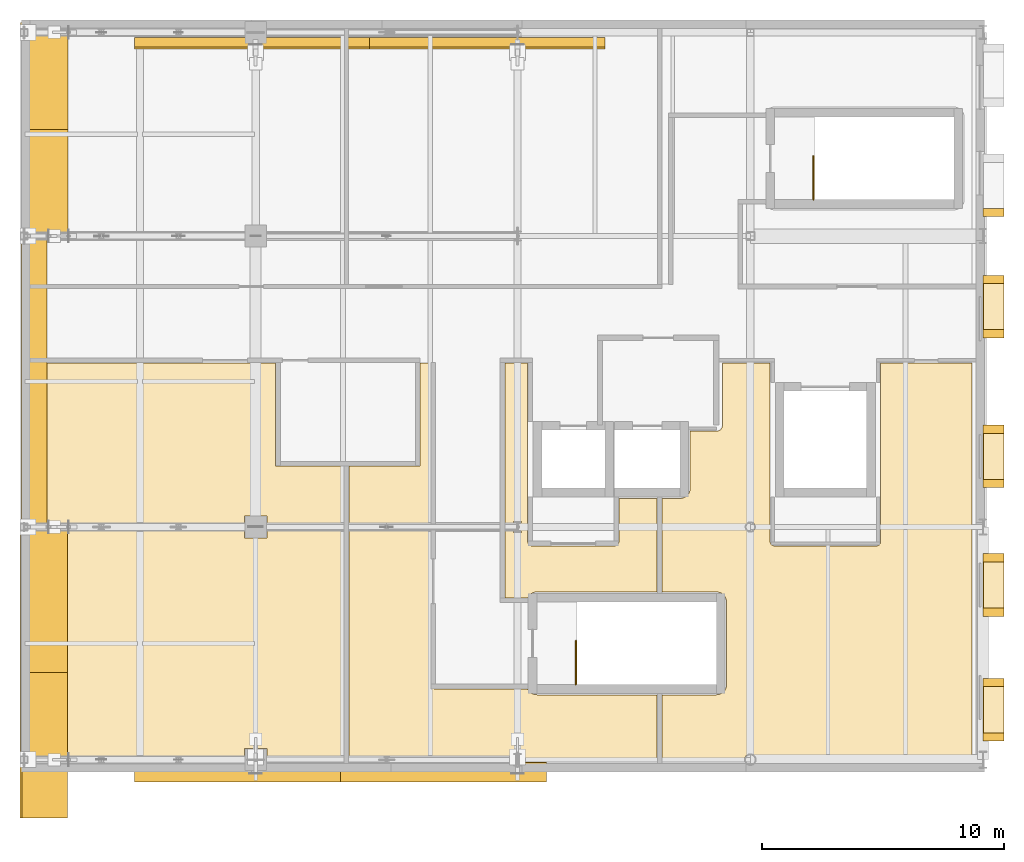
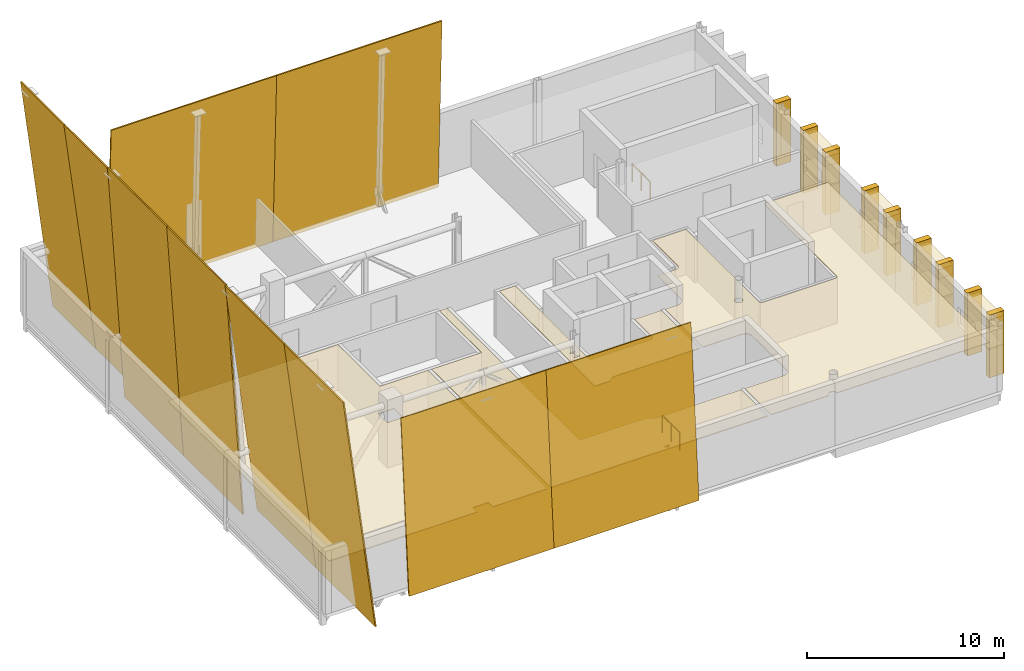
# One storey, part 9 of 10: 31 coverings, 4 railings.
"""IFC4 building model written with IfcOpenShell, lengths in metres."""

from ifc_helpers import new_model, si_unit, direction, frame, origin, origin_2d, place, context, subcontext, project, spatial, polyline, rectangle, circle, outline, extrude, material, layer, layer_set, type_object, element, save


model = new_model("IFC4")

# Units and contexts
model_context = context("Model", 3, precision=1e-05, world=origin(), true_north=direction((0.0, 1.0)))
body_context = subcontext(model_context, "Body", "Model", "MODEL_VIEW")
ifc_project = project(units=[si_unit("LENGTHUNIT", "METRE"), si_unit("AREAUNIT", "SQUARE_METRE"), si_unit("VOLUMEUNIT", "CUBIC_METRE"), si_unit("PLANEANGLEUNIT", "RADIAN"), si_unit("MASSUNIT", "GRAM", prefix="KILO")], contexts=[model_context])

# Site, building, storey
site_placement = place(None, origin())
site = spatial("IfcSite", under=ifc_project, at=site_placement, CompositionType="ELEMENT")
building_placement = place(site_placement, origin())
building = spatial("IfcBuilding", under=site, at=building_placement, Name="Zereglee Splitstone Museum", CompositionType="ELEMENT")
storey_placement = place(building_placement, frame((0.0, 0.0, 25.5)))
storey = spatial("IfcBuildingStorey", under=building, at=storey_placement, Name="L05", CompositionType="ELEMENT", Elevation=25.5)

# Coverings
ifc_material_1 = material(Name="Perforated acoustic gypsum board ceiling", Category="masonry")
ifc_layer_1 = layer(ifc_material_1, 0.044921875)
ifc_layer_set_1 = layer_set([ifc_layer_1], Name="Perforated acoustic gypsum board ceiling")
covering_type_1 = type_object("IfcCoveringType", Name="CLG-02", PredefinedType="CEILING", material=ifc_layer_set_1)
covering_1_placement = place(storey_placement, frame((0.0, 0.0, 2.794921875)))
element("IfcCovering", 1, at=covering_1_placement, inside=storey, type_object=covering_type_1, Name="Acoustic Ceiling L05-062", PredefinedType="CEILING", context=body_context, shape_type="SweptSolid", body=[
    extrude(outline(polyline([(26.35302734375, 2.679931640625), (28.60009765625, 2.679931640625), (28.64111328125, 2.681884765625), (28.681884765625, 2.68798828125), (28.721923828125, 2.697998046875), (28.7607421875, 2.7119140625), (28.798095703125, 2.7294921875), (28.833251953125, 2.750732421875), (28.866455078125, 2.775390625), (28.89697265625, 2.802978515625), (28.9248046875, 2.83349609375), (28.94921875, 2.86669921875), (28.970458984375, 2.902099609375), (28.988037109375, 2.939208984375), (29.001953125, 2.97802734375), (29.011962890625, 3.01806640625), (29.01806640625, 3.058837890625), (29.02001953125, 3.10009765625), (29.02001953125, 6.5), (29.01806640625, 6.541259765625), (29.011962890625, 6.581787109375), (29.001953125, 6.621826171875), (28.988037109375, 6.66064453125), (28.970458984375, 6.697998046875), (28.94921875, 6.7333984375), (28.9248046875, 6.766357421875), (28.89697265625, 6.797119140625), (28.866455078125, 6.82470703125), (28.833251953125, 6.84912109375), (28.798095703125, 6.870361328125), (28.7607421875, 6.887939453125), (28.721923828125, 6.90185546875), (28.681884765625, 6.911865234375), (28.64111328125, 6.91796875), (28.60009765625, 6.919921875), (26.35302734375, 6.919921875), (26.35302734375, 10.780029296875), (27.10009765625, 10.780029296875), (27.14111328125, 10.781982421875), (27.181884765625, 10.7880859375), (27.221923828125, 10.798095703125), (27.2607421875, 10.81201171875), (27.298095703125, 10.82958984375), (27.333251953125, 10.850830078125), (27.366455078125, 10.875244140625), (27.39697265625, 10.903076171875), (27.4248046875, 10.93359375), (27.44921875, 10.966796875), (27.470458984375, 11.001953125), (27.488037109375, 11.039306640625), (27.501953125, 11.078125), (27.511962890625, 11.1181640625), (27.51806640625, 11.15869140625), (27.52001953125, 11.199951171875), (27.52001953125, 13.550048828125), (28.60009765625, 13.550048828125), (28.62451171875, 13.55126953125), (28.648681640625, 13.5546875), (28.672607421875, 13.560791015625), (28.69580078125, 13.569091796875), (28.7177734375, 13.57958984375), (28.739013671875, 13.592041015625), (28.758544921875, 13.606689453125), (28.77685546875, 13.623291015625), (28.793212890625, 13.641357421875), (28.807861328125, 13.6611328125), (28.820556640625, 13.68212890625), (28.8310546875, 13.704345703125), (28.839111328125, 13.727294921875), (28.84521484375, 13.751220703125), (28.848876953125, 13.775390625), (28.85009765625, 13.800048828125), (28.85009765625, 16.3701171875), (30.820068359375, 16.3701171875), (30.820068359375, 9.0), (30.820068359375, 8.9990234375), (30.82080078125, 8.9833984375), (30.821044921875, 8.9814453125), (30.8232421875, 8.9658203125), (30.82373046875, 8.9638671875), (30.827392578125, 8.94873046875), (30.828125, 8.94677734375), (30.833251953125, 8.931884765625), (30.833984375, 8.93017578125), (30.8408203125, 8.916015625), (30.841796875, 8.914306640625), (30.849853515625, 8.90087890625), (30.850830078125, 8.899169921875), (30.8603515625, 8.88671875), (30.861572265625, 8.885009765625), (30.8720703125, 8.873291015625), (30.873291015625, 8.8720703125), (30.885009765625, 8.861572265625), (30.88671875, 8.8603515625), (30.899169921875, 8.850830078125), (30.90087890625, 8.849853515625), (30.914306640625, 8.841796875), (30.916015625, 8.8408203125), (30.93017578125, 8.833984375), (30.931884765625, 8.833251953125), (30.94677734375, 8.828125), (30.94873046875, 8.827392578125), (30.9638671875, 8.82373046875), (30.9658203125, 8.8232421875), (30.9814453125, 8.821044921875), (30.9833984375, 8.82080078125), (30.9990234375, 8.820068359375), (31.0, 8.820068359375), (35.199951171875, 8.820068359375), (35.200927734375, 8.820068359375), (35.216796875, 8.82080078125), (35.218505859375, 8.821044921875), (35.234130859375, 8.8232421875), (35.236083984375, 8.82373046875), (35.251220703125, 8.827392578125), (35.253173828125, 8.828125), (35.26806640625, 8.833251953125), (35.269775390625, 8.833984375), (35.283935546875, 8.8408203125), (35.28564453125, 8.841796875), (35.29931640625, 8.849853515625), (35.30078125, 8.850830078125), (35.3134765625, 8.8603515625), (35.31494140625, 8.861572265625), (35.32666015625, 8.8720703125), (35.327880859375, 8.873291015625), (35.33837890625, 8.885009765625), (35.339599609375, 8.88671875), (35.34912109375, 8.899169921875), (35.35009765625, 8.90087890625), (35.3583984375, 8.914306640625), (35.359130859375, 8.916015625), (35.365966796875, 8.93017578125), (35.36669921875, 8.931884765625), (35.371826171875, 8.94677734375), (35.37255859375, 8.94873046875), (35.376220703125, 8.9638671875), (35.376708984375, 8.9658203125), (35.37890625, 8.9814453125), (35.379150390625, 8.9833984375), (35.3798828125, 8.9990234375), (35.3798828125, 9.0), (35.3798828125, 16.3701171875), (39.139892578125, 16.3701171875), (39.139892578125, 0.010009765625), (30.235595703125, 0.010009765625), (30.23193359375, 0.046142578125), (30.218505859375, 0.090576171875), (30.196533203125, 0.13134765625), (30.167236328125, 0.167236328125), (30.13134765625, 0.196533203125), (30.090576171875, 0.218505859375), (30.046142578125, 0.23193359375), (30.0, 0.236572265625), (29.953857421875, 0.23193359375), (29.909423828125, 0.218505859375), (29.86865234375, 0.196533203125), (29.832763671875, 0.167236328125), (29.803466796875, 0.13134765625), (29.781494140625, 0.090576171875), (29.76806640625, 0.046142578125), (29.764404296875, 0.010009765625), (26.35302734375, 0.010009765625), (26.35302734375, 2.679931640625)]), holes=[polyline([(30.175537109375, 9.482666015625), (30.195068359375, 9.519287109375), (30.20703125, 9.558837890625), (30.211181640625, 9.60009765625), (30.20703125, 9.64111328125), (30.195068359375, 9.680908203125), (30.175537109375, 9.71728515625), (30.1494140625, 9.749267578125), (30.1171875, 9.775634765625), (30.080810546875, 9.795166015625), (30.041259765625, 9.80712890625), (30.0, 9.811279296875), (29.958740234375, 9.80712890625), (29.919189453125, 9.795166015625), (29.8828125, 9.775634765625), (29.8505859375, 9.749267578125), (29.824462890625, 9.71728515625), (29.804931640625, 9.680908203125), (29.79296875, 9.64111328125), (29.788818359375, 9.60009765625), (29.79296875, 9.558837890625), (29.804931640625, 9.519287109375), (29.824462890625, 9.482666015625), (29.8505859375, 9.45068359375), (29.8828125, 9.42431640625), (29.919189453125, 9.40478515625), (29.958740234375, 9.392822265625), (30.0, 9.388916015625), (30.041259765625, 9.392822265625), (30.080810546875, 9.40478515625), (30.1171875, 9.42431640625), (30.1494140625, 9.45068359375), (30.175537109375, 9.482666015625)])]), origin(), (0.0, 0.0, 1.0), 0.045166015625),
])
ifc_material_2 = material(Name="Siberian larch acoustic timber ceiling", Category="wood")
ifc_layer_2 = layer(ifc_material_2, 0.06005859375)
ifc_layer_set_2 = layer_set([ifc_layer_2], Name="Siberian larch acoustic timber ceiling")
covering_type_2 = type_object("IfcCoveringType", Name="CLG-01", PredefinedType="CEILING", material=ifc_layer_set_2)
covering_2_placement = place(storey_placement, frame((0.0, 0.0, 2.780029296875)))
element("IfcCovering", 2, at=covering_2_placement, inside=storey, type_object=covering_type_2, Name="Acoustic Ceiling L05-059", PredefinedType="CEILING", context=body_context, shape_type="SweptSolid", body=[
    extrude(outline(polyline([(0.4599609375, 16.3701171875), (10.419921875, 16.3701171875), (10.419921875, 12.1298828125), (10.420166015625, 12.1279296875), (10.42041015625, 12.126220703125), (10.4208984375, 12.124267578125), (10.42138671875, 12.122314453125), (10.42236328125, 12.12060546875), (10.42333984375, 12.118896484375), (10.424560546875, 12.1171875), (10.42578125, 12.115966796875), (10.42724609375, 12.114501953125), (10.428955078125, 12.11328125), (10.4306640625, 12.1123046875), (10.432373046875, 12.111572265625), (10.43408203125, 12.11083984375), (10.43603515625, 12.1103515625), (10.43798828125, 12.110107421875), (10.43994140625, 12.110107421875), (13.2470703125, 12.110107421875), (13.2470703125, 0.010009765625), (10.05810546875, 0.010009765625), (10.05810546875, 0.4580078125), (9.14208984375, 0.4580078125), (9.14208984375, 0.010009765625), (0.4599609375, 0.010009765625), (0.4599609375, 16.3701171875)]), holes=[polyline([(10.05810546875, 10.05810546875), (9.14208984375, 10.05810546875), (9.14208984375, 9.14208984375), (10.05810546875, 9.14208984375), (10.05810546875, 10.05810546875)])]), origin(), (0.0, 0.0, 1.0), 0.06005859375),
])
covering_3_placement = place(storey_placement, frame((0.0, 0.0, 2.780029296875)))
element("IfcCovering", 3, at=covering_3_placement, inside=storey, type_object=covering_type_2, Name="Acoustic Ceiling L05-060", PredefinedType="CEILING", context=body_context, shape_type="SweptSolid", body=[
    extrude(outline(polyline([(20.415283203125, 0.010009765625), (20.415283203125, 0.214111328125), (20.55810546875, 0.214111328125), (20.55810546875, 0.258056640625), (20.241943359375, 0.258056640625), (20.241943359375, 0.214111328125), (20.384765625, 0.214111328125), (20.384765625, 0.010009765625), (13.447021484375, 0.010009765625), (13.447021484375, 12.110107421875), (16.360107421875, 12.110107421875), (16.362060546875, 12.110107421875), (16.364013671875, 12.1103515625), (16.36572265625, 12.11083984375), (16.36767578125, 12.111572265625), (16.369384765625, 12.1123046875), (16.37109375, 12.11328125), (16.372802734375, 12.114501953125), (16.3740234375, 12.115966796875), (16.37548828125, 12.1171875), (16.376708984375, 12.118896484375), (16.377685546875, 12.12060546875), (16.37841796875, 12.122314453125), (16.379150390625, 12.124267578125), (16.379638671875, 12.126220703125), (16.3798828125, 12.1279296875), (16.3798828125, 12.1298828125), (16.3798828125, 16.3701171875), (16.820068359375, 16.3701171875), (16.820068359375, 3.10009765625), (16.820068359375, 3.09912109375), (16.82080078125, 3.083251953125), (16.821044921875, 3.081298828125), (16.8232421875, 3.06591796875), (16.82373046875, 3.06396484375), (16.827392578125, 3.048583984375), (16.828125, 3.046875), (16.833251953125, 3.031982421875), (16.833984375, 3.0302734375), (16.8408203125, 3.01611328125), (16.841796875, 3.014404296875), (16.849853515625, 3.000732421875), (16.850830078125, 2.999267578125), (16.8603515625, 2.986572265625), (16.861572265625, 2.985107421875), (16.8720703125, 2.973388671875), (16.873291015625, 2.971923828125), (16.885009765625, 2.96142578125), (16.88671875, 2.960205078125), (16.899169921875, 2.950927734375), (16.90087890625, 2.94970703125), (16.914306640625, 2.941650390625), (16.916015625, 2.94091796875), (16.93017578125, 2.93408203125), (16.931884765625, 2.933349609375), (16.94677734375, 2.927978515625), (16.94873046875, 2.927490234375), (16.9638671875, 2.923583984375), (16.9658203125, 2.92333984375), (16.9814453125, 2.9208984375), (16.9833984375, 2.9208984375), (16.9990234375, 2.919921875), (17.0, 2.919921875), (20.821044921875, 2.919921875), (20.82958984375, 2.902099609375), (20.850830078125, 2.86669921875), (20.875244140625, 2.83349609375), (20.903076171875, 2.802978515625), (20.93359375, 2.775390625), (20.966796875, 2.750732421875), (21.001953125, 2.7294921875), (21.039306640625, 2.7119140625), (21.078125, 2.697998046875), (21.1181640625, 2.68798828125), (21.15869140625, 2.681884765625), (21.199951171875, 2.679931640625), (26.153076171875, 2.679931640625), (26.153076171875, 0.010009765625), (20.415283203125, 0.010009765625)])), origin(), (0.0, 0.0, 1.0), 0.06005859375),
])
covering_4_placement = place(storey_placement, frame((0.0, 0.0, 2.780029296875)))
element("IfcCovering", 4, at=covering_4_placement, inside=storey, type_object=covering_type_2, Name="Acoustic Ceiling L05-061", PredefinedType="CEILING", context=body_context, shape_type="SweptSolid", body=[
    extrude(outline(polyline([(19.8798828125, 16.3701171875), (20.820068359375, 16.3701171875), (20.820068359375, 9.0), (20.820068359375, 8.9990234375), (20.82080078125, 8.9833984375), (20.821044921875, 8.9814453125), (20.8232421875, 8.9658203125), (20.82373046875, 8.9638671875), (20.827392578125, 8.94873046875), (20.828125, 8.94677734375), (20.833251953125, 8.931884765625), (20.833984375, 8.93017578125), (20.8408203125, 8.916015625), (20.841796875, 8.914306640625), (20.849853515625, 8.90087890625), (20.850830078125, 8.899169921875), (20.8603515625, 8.88671875), (20.861572265625, 8.885009765625), (20.8720703125, 8.873291015625), (20.873291015625, 8.8720703125), (20.885009765625, 8.861572265625), (20.88671875, 8.8603515625), (20.899169921875, 8.850830078125), (20.90087890625, 8.849853515625), (20.914306640625, 8.841796875), (20.916015625, 8.8408203125), (20.93017578125, 8.833984375), (20.931884765625, 8.833251953125), (20.94677734375, 8.828125), (20.94873046875, 8.827392578125), (20.9638671875, 8.82373046875), (20.9658203125, 8.8232421875), (20.9814453125, 8.821044921875), (20.9833984375, 8.82080078125), (20.9990234375, 8.820068359375), (21.0, 8.820068359375), (24.39990234375, 8.820068359375), (24.40087890625, 8.820068359375), (24.416748046875, 8.82080078125), (24.418701171875, 8.821044921875), (24.43408203125, 8.8232421875), (24.43603515625, 8.82373046875), (24.451416015625, 8.827392578125), (24.453125, 8.828125), (24.468017578125, 8.833251953125), (24.4697265625, 8.833984375), (24.48388671875, 8.8408203125), (24.485595703125, 8.841796875), (24.499267578125, 8.849853515625), (24.500732421875, 8.850830078125), (24.513427734375, 8.8603515625), (24.514892578125, 8.861572265625), (24.526611328125, 8.8720703125), (24.528076171875, 8.873291015625), (24.53857421875, 8.885009765625), (24.539794921875, 8.88671875), (24.549072265625, 8.899169921875), (24.55029296875, 8.90087890625), (24.558349609375, 8.914306640625), (24.55908203125, 8.916015625), (24.56591796875, 8.93017578125), (24.566650390625, 8.931884765625), (24.572021484375, 8.94677734375), (24.572509765625, 8.94873046875), (24.576416015625, 8.9638671875), (24.57666015625, 8.9658203125), (24.5791015625, 8.9814453125), (24.5791015625, 8.9833984375), (24.580078125, 8.9990234375), (24.580078125, 9.0), (24.580078125, 10.780029296875), (26.153076171875, 10.780029296875), (26.153076171875, 6.919921875), (21.199951171875, 6.919921875), (21.15869140625, 6.91796875), (21.1181640625, 6.911865234375), (21.078125, 6.90185546875), (21.039306640625, 6.887939453125), (21.001953125, 6.870361328125), (20.966796875, 6.84912109375), (20.93359375, 6.82470703125), (20.903076171875, 6.797119140625), (20.875244140625, 6.766357421875), (20.850830078125, 6.7333984375), (20.82958984375, 6.697998046875), (20.821044921875, 6.679931640625), (19.8798828125, 6.679931640625), (19.8798828125, 16.3701171875)]), holes=[polyline([(20.385009765625, 9.791015625), (20.385009765625, 9.408935546875), (20.241943359375, 9.408935546875), (20.241943359375, 9.366943359375), (20.55810546875, 9.366943359375), (20.55810546875, 9.408935546875), (20.4150390625, 9.408935546875), (20.4150390625, 9.791015625), (20.55810546875, 9.791015625), (20.55810546875, 9.8330078125), (20.241943359375, 9.8330078125), (20.241943359375, 9.791015625), (20.385009765625, 9.791015625)])]), origin(), (0.0, 0.0, 1.0), 0.06005859375),
])
ifc_material_3 = material(Name="Honed Gobi pale limestone stringcourse and soffit cladding", Category="masonry")
ifc_layer_3 = layer(ifc_material_3, 0.070068359375)
ifc_layer_set_3 = layer_set([ifc_layer_3], Name="Honed Gobi pale limestone stringcourse and soffit cladding")
covering_type_3 = type_object("IfcCoveringType", Name="CL-02", PredefinedType="CLADDING", material=ifc_layer_set_3)
for number, where, z_axis, x_axis, name in (
    (5, (40.02490234375, 0.9423828125, 0.0), (0.0, 0.0, 1.0), (0.0, 1.0, 0.0), "Mughal Window Reveal Stone Pilaster L05-0153L"),
    (6, (40.02490234375, 3.1826171875, 0.0), (0.0, 0.0, 1.0), (0.0, 1.0, 0.0), "Mughal Window Reveal Stone Pilaster L05-0153R"),
):
    element("IfcCovering", number, at=place(storey_placement, frame(where, z_axis=z_axis, x_axis=x_axis)), inside=storey, type_object=covering_type_3, Name=name, PredefinedType="CLADDING", context=body_context, shape_type="SweptSolid", body=[
        extrude(rectangle(XDim=0.340087890625, YDim=0.860107421875, at=origin_2d()), origin(), (0.0, 0.0, 1.0), 3.89990234375),
    ])
covering_5_placement = place(storey_placement, frame((40.034912109375, 2.0625, 1.659912109375), z_axis=(0.0, 0.0, 1.0), x_axis=(0.0, 1.0, 0.0)))
element("IfcCovering", 7, at=covering_5_placement, inside=storey, type_object=covering_type_3, Name="Carved Limestone Window Sill L05-0153", PredefinedType="CLADDING", context=body_context, shape_type="SweptSolid", body=[
    extrude(rectangle(XDim=2.43994140625, YDim=0.840087890625, at=origin_2d()), origin(), (0.0, 0.0, 1.0), 0.1201171875),
])
for number, where, z_axis, x_axis, name in (
    (8, (40.02490234375, 6.08740234375, 0.0), (0.0, 0.0, 1.0), (0.0, 1.0, 0.0), "Mughal Window Reveal Stone Pilaster L05-0154L"),
    (9, (40.02490234375, 8.327392578125, 0.0), (0.0, 0.0, 1.0), (0.0, 1.0, 0.0), "Mughal Window Reveal Stone Pilaster L05-0154R"),
):
    element("IfcCovering", number, at=place(storey_placement, frame(where, z_axis=z_axis, x_axis=x_axis)), inside=storey, type_object=covering_type_3, Name=name, PredefinedType="CLADDING", context=body_context, shape_type="SweptSolid", body=[
        extrude(rectangle(XDim=0.340087890625, YDim=0.860107421875, at=origin_2d()), origin(), (0.0, 0.0, 1.0), 3.89990234375),
    ])
covering_6_placement = place(storey_placement, frame((40.034912109375, 7.20751953125, 1.659912109375), z_axis=(0.0, 0.0, 1.0), x_axis=(0.0, 1.0, 0.0)))
element("IfcCovering", 10, at=covering_6_placement, inside=storey, type_object=covering_type_3, Name="Carved Limestone Window Sill L05-0154", PredefinedType="CLADDING", context=body_context, shape_type="SweptSolid", body=[
    extrude(rectangle(XDim=2.43994140625, YDim=0.840087890625, at=origin_2d()), origin(), (0.0, 0.0, 1.0), 0.1201171875),
])
for number, where, z_axis, x_axis, name in (
    (11, (40.02490234375, 11.389892578125, 0.0), (0.0, 0.0, 1.0), (0.0, 1.0, 0.0), "Mughal Window Reveal Stone Pilaster L05-0155L"),
    (12, (40.02490234375, 13.6298828125, 0.0), (0.0, 0.0, 1.0), (0.0, 1.0, 0.0), "Mughal Window Reveal Stone Pilaster L05-0155R"),
):
    element("IfcCovering", number, at=place(storey_placement, frame(where, z_axis=z_axis, x_axis=x_axis)), inside=storey, type_object=covering_type_3, Name=name, PredefinedType="CLADDING", context=body_context, shape_type="SweptSolid", body=[
        extrude(rectangle(XDim=0.340087890625, YDim=0.860107421875, at=origin_2d()), origin(), (0.0, 0.0, 1.0), 3.89990234375),
    ])
covering_7_placement = place(storey_placement, frame((40.034912109375, 12.510009765625, 1.659912109375), z_axis=(0.0, 0.0, 1.0), x_axis=(0.0, 1.0, 0.0)))
element("IfcCovering", 13, at=covering_7_placement, inside=storey, type_object=covering_type_3, Name="Carved Limestone Window Sill L05-0155", PredefinedType="CLADDING", context=body_context, shape_type="SweptSolid", body=[
    extrude(rectangle(XDim=2.43994140625, YDim=0.840087890625, at=origin_2d()), origin(), (0.0, 0.0, 1.0), 0.1201171875),
])
for number, where, z_axis, x_axis, name in (
    (14, (40.02490234375, 17.570068359375, 0.0), (0.0, 0.0, 1.0), (0.0, 1.0, 0.0), "Mughal Window Reveal Stone Pilaster L05-0156L"),
    (15, (40.02490234375, 19.81005859375, 0.0), (0.0, 0.0, 1.0), (0.0, 1.0, 0.0), "Mughal Window Reveal Stone Pilaster L05-0156R"),
):
    element("IfcCovering", number, at=place(storey_placement, frame(where, z_axis=z_axis, x_axis=x_axis)), inside=storey, type_object=covering_type_3, Name=name, PredefinedType="CLADDING", context=body_context, shape_type="SweptSolid", body=[
        extrude(rectangle(XDim=0.340087890625, YDim=0.860107421875, at=origin_2d()), origin(), (0.0, 0.0, 1.0), 3.89990234375),
    ])
covering_8_placement = place(storey_placement, frame((40.034912109375, 18.68994140625, 1.659912109375), z_axis=(0.0, 0.0, 1.0), x_axis=(0.0, 1.0, 0.0)))
element("IfcCovering", 16, at=covering_8_placement, inside=storey, type_object=covering_type_3, Name="Carved Limestone Window Sill L05-0156", PredefinedType="CLADDING", context=body_context, shape_type="SweptSolid", body=[
    extrude(rectangle(XDim=2.43994140625, YDim=0.840087890625, at=origin_2d()), origin(), (0.0, 0.0, 1.0), 0.1201171875),
])
covering_9_placement = place(storey_placement, frame((40.02490234375, 22.572509765625, 0.0), z_axis=(0.0, 0.0, 1.0), x_axis=(0.0, 1.0, 0.0)))
element("IfcCovering", 17, at=covering_9_placement, inside=storey, type_object=covering_type_3, Name="Mughal Window Reveal Stone Pilaster L05-0157L", PredefinedType="CLADDING", context=body_context, shape_type="SweptSolid", body=[
    extrude(rectangle(XDim=0.340087890625, YDim=0.860107421875, at=origin_2d()), origin(), (0.0, 0.0, 1.0), 3.89990234375),
])
for number, where, z_axis, x_axis, name in (
    (18, (4.60009765625, -0.9228515625, -0.25), (0.0, -0.997045792869, 0.076809419491), (1.0, 0.0, 0.0), "Split-Rock Continuous Inclined Facet FH-V1S-W L05.1"),
    (19, (13.10009765625, -0.9228515625, -0.25), (0.0, -0.997045792869, 0.076809419491), (1.0, 0.0, 0.0), "Split-Rock Continuous Inclined Facet FH-V1S-W L05.2"),
):
    element("IfcCovering", number, at=place(storey_placement, frame(where, z_axis=z_axis, x_axis=x_axis)), inside=storey, type_object=covering_type_3, Name=name, PredefinedType="CLADDING", context=body_context, shape_type="SweptSolid", body=[
        extrude(outline(polyline([(0.0, 0.0), (8.5, 0.0), (8.5, 10.581308204278995), (0.0, 10.581308204278995), (0.0, 0.0)])), origin(), (0.0, 0.0, -1.0), 0.070068359375),
    ])
ifc_material_4 = material(Name="Honed Khoroo red sandstone ventilated rainscreen", Category="masonry")
ifc_layer_4 = layer(ifc_material_4, 0.080078125)
ifc_layer_set_4 = layer_set([ifc_layer_4], Name="Honed Khoroo red sandstone ventilated rainscreen")
covering_type_4 = type_object("IfcCoveringType", Name="CL-01", PredefinedType="CLADDING", material=ifc_layer_set_4)
for number, where, z_axis, x_axis, name in (
    (20, (40.034912109375, 2.0625, 2.9599609375), (0.0, 0.0, 1.0), (0.0, 1.0, 0.0), "Pointed-Arch Mughal Window Hood L05-0153"),
    (21, (40.034912109375, 7.20751953125, 2.9599609375), (0.0, 0.0, 1.0), (0.0, 1.0, 0.0), "Pointed-Arch Mughal Window Hood L05-0154"),
    (22, (40.034912109375, 12.510009765625, 2.9599609375), (0.0, 0.0, 1.0), (0.0, 1.0, 0.0), "Pointed-Arch Mughal Window Hood L05-0155"),
    (23, (40.034912109375, 18.68994140625, 2.9599609375), (0.0, 0.0, 1.0), (0.0, 1.0, 0.0), "Pointed-Arch Mughal Window Hood L05-0156"),
):
    element("IfcCovering", number, at=place(storey_placement, frame(where, z_axis=z_axis, x_axis=x_axis)), inside=storey, type_object=covering_type_4, Name=name, PredefinedType="CLADDING", context=body_context, shape_type="SweptSolid", body=[
        extrude(rectangle(XDim=2.43994140625, YDim=0.860107421875, at=origin_2d()), origin(), (0.0, 0.0, 1.0), 0.580078125),
    ])
for number, where, z_axis, x_axis, name in (
    (24, (-0.1201171875, -2.39990234375, 14.300048828125), (-0.991724845523, 0.0, -0.128381582684), (0.0, 1.0, 0.0), "Split-Rock Continuous Inclined Facet FH-V1W-S L05.1"),
    (25, (-0.1201171875, 3.60009765625, 14.300048828125), (-0.991724845523, 0.0, -0.128381582684), (0.0, 1.0, 0.0), "Split-Rock Continuous Inclined Facet FH-V1W-S L05.2"),
):
    element("IfcCovering", number, at=place(storey_placement, frame(where, z_axis=z_axis, x_axis=x_axis)), inside=storey, type_object=covering_type_4, Name=name, PredefinedType="CLADDING", context=body_context, shape_type="SweptSolid", body=[
        extrude(outline(polyline([(0.0, 0.0), (6.0, 0.0), (6.0, 14.671457404550603), (0.0, 14.671457404550603), (0.0, 0.0)])), origin(), (0.0, 0.0, -1.0), 0.080078125),
    ])
for number, where, z_axis, x_axis, name in (
    (26, (-0.094970703125, 21.60009765625, 14.300048828125), (-0.99172696405, 0.0, -0.128365216381), (0.0, 1.0, 0.0), "Split-Rock Continuous Inclined Facet FH-V1W-N L05.1"),
    (27, (-0.094970703125, 26.0, 14.300048828125), (-0.99172696405, 0.0, -0.128365216381), (0.0, 1.0, 0.0), "Split-Rock Continuous Inclined Facet FH-V1W-N L05.2"),
):
    element("IfcCovering", number, at=place(storey_placement, frame(where, z_axis=z_axis, x_axis=x_axis)), inside=storey, type_object=covering_type_4, Name=name, PredefinedType="CLADDING", context=body_context, shape_type="SweptSolid", body=[
        extrude(outline(polyline([(0.0, 0.0), (4.39990234375, 0.0), (4.39990234375, 14.671426063388608), (0.0, 14.671426063388608), (0.0, 0.0)])), origin(), (0.0, 0.0, -1.0), 0.080078125),
    ])
for number, where, z_axis, x_axis, name in (
    (28, (-0.070068359375, 9.60009765625, 14.300048828125), (-0.997704586534, 0.0, -0.067716748369), (0.0, 1.0, 0.0), "Split-Rock Continuous Inclined Facet FH-V1W-M L05.1"),
    (29, (-0.070068359375, 15.60009765625, 14.300048828125), (-0.997704586534, 0.0, -0.067716748369), (0.0, 1.0, 0.0), "Split-Rock Continuous Inclined Facet FH-V1W-M L05.2"),
):
    element("IfcCovering", number, at=place(storey_placement, frame(where, z_axis=z_axis, x_axis=x_axis)), inside=storey, type_object=covering_type_4, Name=name, PredefinedType="CLADDING", context=body_context, shape_type="SweptSolid", body=[
        extrude(outline(polyline([(0.0, 0.0), (6.0, 0.0), (6.0, 14.583524045605465), (0.0, 14.583524045605465), (0.0, 0.0)])), origin(), (0.0, 0.0, -1.0), 0.080078125),
    ])
for number, where, z_axis, x_axis, name in (
    (30, (4.60009765625, 29.39501953125, 10.300048828125), (0.0, 0.999310105561, 0.037139102343), (1.0, 0.0, 0.0), "Split-Rock Continuous Inclined Facet FH-V1N-W L05.1"),
    (31, (14.300048828125, 29.39501953125, 10.300048828125), (0.0, 0.999310105561, 0.037139102343), (1.0, 0.0, 0.0), "Split-Rock Continuous Inclined Facet FH-V1N-W L05.2"),
):
    element("IfcCovering", number, at=place(storey_placement, frame(where, z_axis=z_axis, x_axis=x_axis)), inside=storey, type_object=covering_type_4, Name=name, PredefinedType="CLADDING", context=body_context, shape_type="SweptSolid", body=[
        extrude(outline(polyline([(0.0, 0.0), (9.699951171875, 0.0), (9.699951171875, 10.557332272946306), (0.0, 10.557332272946306), (0.0, 0.0)])), origin(), (0.0, 0.0, -1.0), 0.080078125),
    ])

# Railings
ifc_material_5 = material(Name="Painted steel S355J2 post-and-baluster guard", Category="steel")
railing_type = type_object("IfcRailingType", Name="GR-03", PredefinedType="BALUSTRADE", material=ifc_material_5)
railing_1_placement = place(storey_placement, frame((22.800048828125, 3.10009765625, 0.0)))
element("IfcRailing", 32, at=railing_1_placement, inside=storey, type_object=railing_type, Name="L05 ST-01 top well guard 1", PredefinedType="BALUSTRADE", context=body_context, shape_type="SweptSolid", body=[
    extrude(circle(Radius=0.02392578125, at=origin_2d()), frame((0.0, 0.0, 1.076416015625), z_axis=(0.0, 1.0, 0.0), x_axis=(-1.0, 0.0, 0.0)), (0.0, 0.0, 1.0), 1.7998046875),
    extrude(circle(Radius=0.02099609375, at=origin_2d()), origin(), (0.0, 0.0, 1.0), 1.052001953125),
    extrude(circle(Radius=0.02099609375, at=origin_2d()), frame((0.0, 0.89990234375, 0.0)), (0.0, 0.0, 1.0), 1.052001953125),
    extrude(circle(Radius=0.02099609375, at=origin_2d()), frame((0.0, 1.7998046875, 0.0)), (0.0, 0.0, 1.0), 1.052001953125),
])
railing_2_placement = place(storey_placement, frame((22.81005859375, 3.1201171875, 0.0)))
element("IfcRailing", 33, at=railing_2_placement, inside=storey, type_object=railing_type, Name="Stair Top-Floor Well Guard ST-01", PredefinedType="BALUSTRADE", context=body_context, shape_type="SweptSolid", body=[
    extrude(circle(Radius=0.02392578125, at=origin_2d()), frame((0.0, 0.0, 1.076416015625), z_axis=(0.0, 1.0, 0.0), x_axis=(-1.0, 0.0, 0.0)), (0.0, 0.0, 1.0), 1.77978515625),
    extrude(circle(Radius=0.02099609375, at=origin_2d()), origin(), (0.0, 0.0, 1.0), 1.052001953125),
    extrude(circle(Radius=0.02099609375, at=origin_2d()), frame((0.0, 0.889892578125, 0.0)), (0.0, 0.0, 1.0), 1.052001953125),
    extrude(circle(Radius=0.02099609375, at=origin_2d()), frame((0.0, 1.77978515625, 0.0)), (0.0, 0.0, 1.0), 1.052001953125),
])
railing_3_placement = place(storey_placement, frame((32.60009765625, 23.10009765625, 0.0)))
element("IfcRailing", 34, at=railing_3_placement, inside=storey, type_object=railing_type, Name="L05 ST-02 top well guard 1", PredefinedType="BALUSTRADE", context=body_context, shape_type="SweptSolid", body=[
    extrude(circle(Radius=0.02392578125, at=origin_2d()), frame((0.0, 0.0, 1.076416015625), z_axis=(0.0, 1.0, 0.0), x_axis=(-1.0, 0.0, 0.0)), (0.0, 0.0, 1.0), 1.7998046875),
    extrude(circle(Radius=0.02099609375, at=origin_2d()), origin(), (0.0, 0.0, 1.0), 1.052001953125),
    extrude(circle(Radius=0.02099609375, at=origin_2d()), frame((0.0, 0.89990234375, 0.0)), (0.0, 0.0, 1.0), 1.052001953125),
    extrude(circle(Radius=0.02099609375, at=origin_2d()), frame((0.0, 1.7998046875, 0.0)), (0.0, 0.0, 1.0), 1.052001953125),
])
railing_4_placement = place(storey_placement, frame((32.610107421875, 23.1201171875, 0.0)))
element("IfcRailing", 35, at=railing_4_placement, inside=storey, type_object=railing_type, Name="Stair Top-Floor Well Guard ST-02", PredefinedType="BALUSTRADE", context=body_context, shape_type="SweptSolid", body=[
    extrude(circle(Radius=0.02392578125, at=origin_2d()), frame((0.0, 0.0, 1.076416015625), z_axis=(0.0, 1.0, 0.0), x_axis=(-1.0, 0.0, 0.0)), (0.0, 0.0, 1.0), 1.77978515625),
    extrude(circle(Radius=0.02099609375, at=origin_2d()), origin(), (0.0, 0.0, 1.0), 1.052001953125),
    extrude(circle(Radius=0.02099609375, at=origin_2d()), frame((0.0, 0.889892578125, 0.0)), (0.0, 0.0, 1.0), 1.052001953125),
    extrude(circle(Radius=0.02099609375, at=origin_2d()), frame((0.0, 1.77978515625, 0.0)), (0.0, 0.0, 1.0), 1.052001953125),
])

save(model, "model.ifc")
